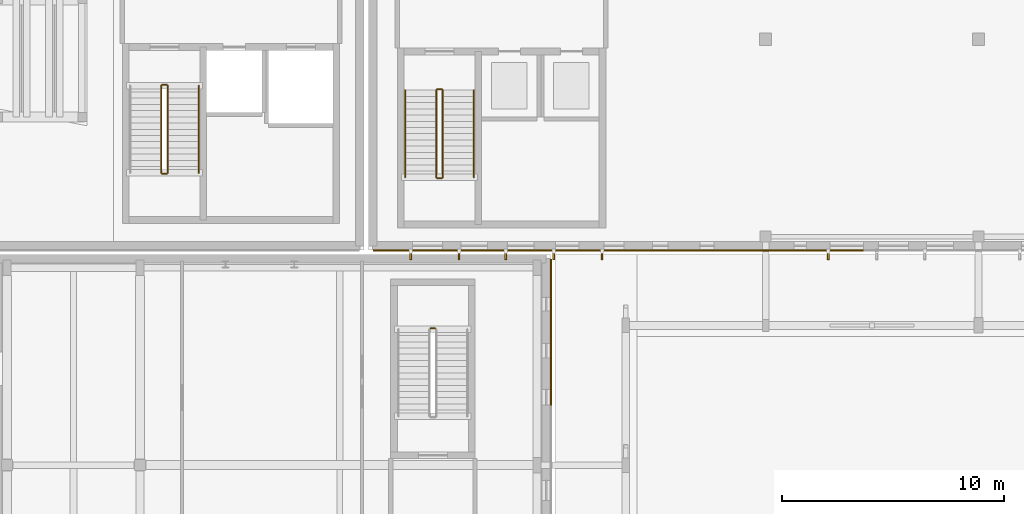
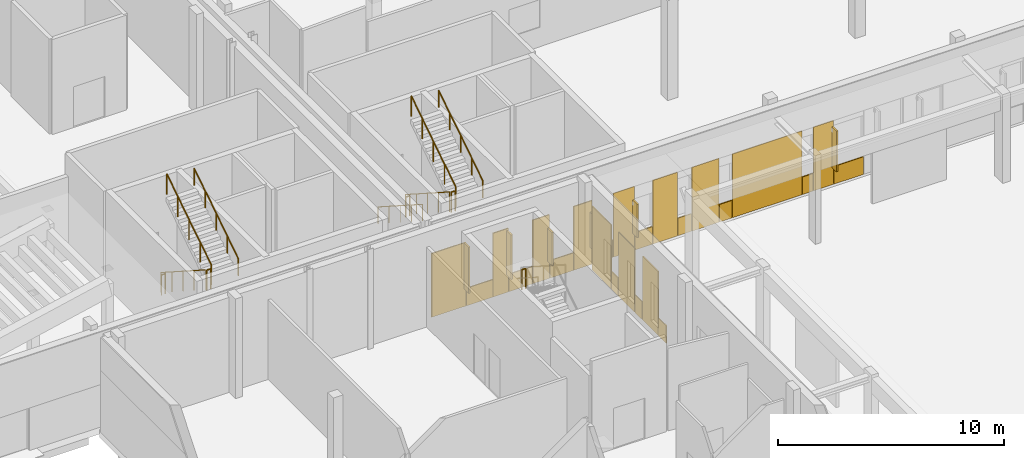
# One storey, part 60 of 84: 24 coverings, 12 railings, 6 shading devices.
"""IFC4 building model written with IfcOpenShell, lengths in metres."""

from ifc_helpers import new_model, si_unit, direction, frame, origin, origin_2d, place, context, subcontext, project, spatial, rectangle, circle, extrude, material, layer, layer_set, type_object, element, save


model = new_model("IFC4")

# Units and contexts
model_context = context("Model", 3, precision=1e-05, world=origin(), true_north=direction((0.0, 1.0)))
body_context = subcontext(model_context, "Body", "Model", "MODEL_VIEW")
ifc_project = project(units=[si_unit("LENGTHUNIT", "METRE"), si_unit("AREAUNIT", "SQUARE_METRE"), si_unit("VOLUMEUNIT", "CUBIC_METRE"), si_unit("PLANEANGLEUNIT", "RADIAN"), si_unit("MASSUNIT", "GRAM", prefix="KILO")], contexts=[model_context])

# Site, building, storey
site_placement = place(None, origin())
site = spatial("IfcSite", under=ifc_project, at=site_placement, CompositionType="ELEMENT")
building_placement = place(site_placement, origin())
building = spatial("IfcBuilding", under=site, at=building_placement, Name="Mzevani Central Library", CompositionType="ELEMENT")
storey_placement = place(building_placement, origin())
storey = spatial("IfcBuildingStorey", under=building, at=storey_placement, Name="L00", CompositionType="ELEMENT", Elevation=0.0)

# Shading devices
ifc_material_1 = material(Name="Anodized architectural bronze")
shading_device_type = type_object("IfcShadingDeviceType", Name="Anodized Bronze Vertical Sun-Breaker Fin", PredefinedType="USERDEFINED", material=ifc_material_1)
shading_device_1_placement = place(storey_placement, frame((66.830078125, 42.27490234375, 0.9501953125), z_axis=(0.0, 0.0, 1.0), x_axis=(-1.0, 0.0, 0.0)))
element("IfcShadingDevice", 1, at=shading_device_1_placement, inside=storey, type_object=shading_device_type, Name="L00 V1 Solar Fin (31)", ObjectType="SOLAR FIN", PredefinedType="USERDEFINED", context=body_context, shape_type="SweptSolid", body=[
    extrude(rectangle(XDim=0.080078125, YDim=0.449951171875, at=origin_2d()), origin(), (0.0, 0.0, 1.0), 2.199951171875),
])
shading_device_2_placement = place(storey_placement, frame((56.6298828125, 42.27490234375, 0.9501953125), z_axis=(0.0, 0.0, 1.0), x_axis=(-1.0, 0.0, 0.0)))
element("IfcShadingDevice", 2, at=shading_device_2_placement, inside=storey, type_object=shading_device_type, Name="L00 V1 Solar Fin (35)", ObjectType="SOLAR FIN", PredefinedType="USERDEFINED", context=body_context, shape_type="SweptSolid", body=[
    extrude(rectangle(XDim=0.080078125, YDim=0.449951171875, at=origin_2d()), origin(), (0.0, 0.0, 1.0), 1.800048828125),
])
shading_device_3_placement = place(storey_placement, frame((54.455078125, 42.27490234375, 0.949951171875), z_axis=(0.0, 0.0, 1.0), x_axis=(-1.0, 0.0, 0.0)))
element("IfcShadingDevice", 3, at=shading_device_3_placement, inside=storey, type_object=shading_device_type, Name="L00 V1 Solar Fin (36)", ObjectType="SOLAR FIN", PredefinedType="USERDEFINED", context=body_context, shape_type="SweptSolid", body=[
    extrude(rectangle(XDim=0.080078125, YDim=0.449951171875, at=origin_2d()), origin(), (0.0, 0.0, 1.0), 1.89990234375),
])
shading_device_4_placement = place(storey_placement, frame((52.280029296875, 42.27490234375, 0.9501953125), z_axis=(0.0, 0.0, 1.0), x_axis=(-1.0, 0.0, 0.0)))
element("IfcShadingDevice", 4, at=shading_device_4_placement, inside=storey, type_object=shading_device_type, Name="L00 V1 Solar Fin (37)", ObjectType="SOLAR FIN", PredefinedType="USERDEFINED", context=body_context, shape_type="SweptSolid", body=[
    extrude(rectangle(XDim=0.080078125, YDim=0.449951171875, at=origin_2d()), origin(), (0.0, 0.0, 1.0), 1.800048828125),
])
shading_device_5_placement = place(storey_placement, frame((50.179931640625, 42.27490234375, 0.949951171875), z_axis=(0.0, 0.0, 1.0), x_axis=(-1.0, 0.0, 0.0)))
element("IfcShadingDevice", 5, at=shading_device_5_placement, inside=storey, type_object=shading_device_type, Name="L00 V1 Solar Fin (38)", ObjectType="SOLAR FIN", PredefinedType="USERDEFINED", context=body_context, shape_type="SweptSolid", body=[
    extrude(rectangle(XDim=0.080078125, YDim=0.449951171875, at=origin_2d()), origin(), (0.0, 0.0, 1.0), 2.39990234375),
])
shading_device_6_placement = place(storey_placement, frame((48.0048828125, 42.27490234375, 0.949951171875), z_axis=(0.0, 0.0, 1.0), x_axis=(-1.0, 0.0, 0.0)))
element("IfcShadingDevice", 6, at=shading_device_6_placement, inside=storey, type_object=shading_device_type, Name="L00 V1 Solar Fin (39)", ObjectType="SOLAR FIN", PredefinedType="USERDEFINED", context=body_context, shape_type="SweptSolid", body=[
    extrude(rectangle(XDim=0.080078125, YDim=0.449951171875, at=origin_2d()), origin(), (0.0, 0.0, 1.0), 2.5),
])

# Railings
ifc_material_2 = material(Name="Brushed stainless steel rail", Category="steel")
railing_type_1 = type_object("IfcRailingType", Name="Interior Gallery and Stair Guard 1100", PredefinedType="BALUSTRADE", material=ifc_material_2)
railing_1_placement = place(storey_placement, frame((49.14990234375, 49.699951171875, 0.179931640625)))
element("IfcRailing", 7, at=railing_1_placement, inside=storey, type_object=railing_type_1, Name="L00 ST-01 stair guard 1", PredefinedType="BALUSTRADE", context=body_context, shape_type="SweptSolid", body=[
    extrude(circle(Radius=0.02392578125, at=origin_2d()), frame((0.0, 0.0, 1.076171875), z_axis=(0.0, -0.841171666519, 0.540768182723), x_axis=(1.0, 0.0, 0.0)), (0.0, 0.0, 1.0), 4.66015625),
    extrude(circle(Radius=0.02099609375, at=origin_2d()), origin(), (0.0, 0.0, 1.0), 1.052001953125),
    extrude(circle(Radius=0.02099609375, at=origin_2d()), frame((0.0, -0.97998046875, 0.6298828125)), (0.0, 0.0, 1.0), 1.052001953125),
    extrude(circle(Radius=0.02099609375, at=origin_2d()), frame((0.0, -1.9599609375, 1.260009765625)), (0.0, 0.0, 1.0), 1.052001953125),
    extrude(circle(Radius=0.02099609375, at=origin_2d()), frame((0.0, -2.93994140625, 1.89013671875)), (0.0, 0.0, 1.0), 1.052001953125),
    extrude(circle(Radius=0.02099609375, at=origin_2d()), frame((0.0, -3.919921875, 2.52001953125)), (0.0, 0.0, 1.0), 1.052001953125),
])
railing_2_placement = place(storey_placement, frame((49.199951171875, 45.72998046875, 2.699951171875)))
element("IfcRailing", 8, at=railing_2_placement, inside=storey, type_object=railing_type_1, Name="L00 ST-01 stair guard 2", PredefinedType="BALUSTRADE", context=body_context, shape_type="SweptSolid", body=[
    extrude(circle(Radius=0.02392578125, at=origin_2d()), frame((0.0, 0.0, 1.076171875), z_axis=(1.0, 0.0, 0.0), x_axis=(0.0, 1.0, 0.0)), (0.0, 0.0, 1.0), 0.199951171875),
    extrude(circle(Radius=0.02099609375, at=origin_2d()), origin(), (0.0, 0.0, 1.0), 1.052001953125),
    extrude(circle(Radius=0.02099609375, at=origin_2d()), frame((0.199951171875, 0.0, 0.0)), (0.0, 0.0, 1.0), 1.052001953125),
])
railing_3_placement = place(storey_placement, frame((49.449951171875, 45.780029296875, 2.8798828125)))
element("IfcRailing", 9, at=railing_3_placement, inside=storey, type_object=railing_type_1, Name="L00 ST-01 stair guard 3", PredefinedType="BALUSTRADE", context=body_context, shape_type="SweptSolid", body=[
    extrude(circle(Radius=0.02392578125, at=origin_2d()), frame((0.0, 0.0, 1.076171875), z_axis=(0.0, 0.841171666519, 0.540768182723), x_axis=(-1.0, 0.0, 0.0)), (0.0, 0.0, 1.0), 4.66015625),
    extrude(circle(Radius=0.02099609375, at=origin_2d()), origin(), (0.0, 0.0, 1.0), 1.052001953125),
    extrude(circle(Radius=0.02099609375, at=origin_2d()), frame((0.0, 0.97998046875, 0.6298828125)), (0.0, 0.0, 1.0), 1.052001953125),
    extrude(circle(Radius=0.02099609375, at=origin_2d()), frame((0.0, 1.9599609375, 1.260009765625)), (0.0, 0.0, 1.0), 1.052001953125),
    extrude(circle(Radius=0.02099609375, at=origin_2d()), frame((0.0, 2.93994140625, 1.89013671875)), (0.0, 0.0, 1.0), 1.052001953125),
    extrude(circle(Radius=0.02099609375, at=origin_2d()), frame((0.0, 3.919921875, 2.52001953125)), (0.0, 0.0, 1.0), 1.052001953125),
])
railing_4_placement = place(storey_placement, frame((49.199951171875, 49.75, 0.0)))
element("IfcRailing", 10, at=railing_4_placement, inside=storey, type_object=railing_type_1, Name="L00 ST-01 stair guard 4", PredefinedType="BALUSTRADE", context=body_context, shape_type="SweptSolid", body=[
    extrude(circle(Radius=0.02392578125, at=origin_2d()), frame((0.0, 0.0, 1.076171875), z_axis=(1.0, 0.0, 0.0), x_axis=(0.0, 1.0, 0.0)), (0.0, 0.0, 1.0), 0.199951171875),
    extrude(circle(Radius=0.02099609375, at=origin_2d()), origin(), (0.0, 0.0, 1.0), 1.052001953125),
    extrude(circle(Radius=0.02099609375, at=origin_2d()), frame((0.199951171875, 0.0, 0.0)), (0.0, 0.0, 1.0), 1.052001953125),
])
railing_5_placement = place(storey_placement, frame((49.10009765625, 38.969970703125, 2.699951171875)))
element("IfcRailing", 11, at=railing_5_placement, inside=storey, type_object=railing_type_1, Name="L00 ST-08 stair guard 2", PredefinedType="BALUSTRADE", context=body_context, shape_type="SweptSolid", body=[
    extrude(circle(Radius=0.02392578125, at=origin_2d()), frame((0.0, 0.0, 1.076171875), z_axis=(-1.0, 0.0, 0.0), x_axis=(0.0, -1.0, 0.0)), (0.0, 0.0, 1.0), 0.2001953125),
    extrude(circle(Radius=0.02099609375, at=origin_2d()), origin(), (0.0, 0.0, 1.0), 1.052001953125),
    extrude(circle(Radius=0.02099609375, at=origin_2d()), frame((-0.2001953125, 0.0, 0.0)), (0.0, 0.0, 1.0), 1.052001953125),
])
railing_6_placement = place(storey_placement, frame((36.75, 49.89990234375, 0.179931640625)))
element("IfcRailing", 12, at=railing_6_placement, inside=storey, type_object=railing_type_1, Name="L00 ST-09 stair guard 1", PredefinedType="BALUSTRADE", context=body_context, shape_type="SweptSolid", body=[
    extrude(circle(Radius=0.02392578125, at=origin_2d()), frame((0.0, 0.0, 1.076171875), z_axis=(0.0, -0.841171666519, 0.540768182723), x_axis=(1.0, 0.0, 0.0)), (0.0, 0.0, 1.0), 4.66015625),
    extrude(circle(Radius=0.02099609375, at=origin_2d()), origin(), (0.0, 0.0, 1.0), 1.052001953125),
    extrude(circle(Radius=0.02099609375, at=origin_2d()), frame((0.0, -0.97998046875, 0.6298828125)), (0.0, 0.0, 1.0), 1.052001953125),
    extrude(circle(Radius=0.02099609375, at=origin_2d()), frame((0.0, -1.9599609375, 1.260009765625)), (0.0, 0.0, 1.0), 1.052001953125),
    extrude(circle(Radius=0.02099609375, at=origin_2d()), frame((0.0, -2.93994140625, 1.89013671875)), (0.0, 0.0, 1.0), 1.052001953125),
    extrude(circle(Radius=0.02099609375, at=origin_2d()), frame((0.0, -3.919921875, 2.52001953125)), (0.0, 0.0, 1.0), 1.052001953125),
])
railing_7_placement = place(storey_placement, frame((36.800048828125, 45.929931640625, 2.699951171875)))
element("IfcRailing", 13, at=railing_7_placement, inside=storey, type_object=railing_type_1, Name="L00 ST-09 stair guard 2", PredefinedType="BALUSTRADE", context=body_context, shape_type="SweptSolid", body=[
    extrude(circle(Radius=0.02392578125, at=origin_2d()), frame((0.0, 0.0, 1.076171875), z_axis=(1.0, 0.0, 0.0), x_axis=(0.0, 1.0, 0.0)), (0.0, 0.0, 1.0), 0.199951171875),
    extrude(circle(Radius=0.02099609375, at=origin_2d()), origin(), (0.0, 0.0, 1.0), 1.052001953125),
    extrude(circle(Radius=0.02099609375, at=origin_2d()), frame((0.199951171875, 0.0, 0.0)), (0.0, 0.0, 1.0), 1.052001953125),
])
railing_8_placement = place(storey_placement, frame((37.050048828125, 45.97998046875, 2.8798828125)))
element("IfcRailing", 14, at=railing_8_placement, inside=storey, type_object=railing_type_1, Name="L00 ST-09 stair guard 3", PredefinedType="BALUSTRADE", context=body_context, shape_type="SweptSolid", body=[
    extrude(circle(Radius=0.02392578125, at=origin_2d()), frame((0.0, 0.0, 1.076171875), z_axis=(0.0, 0.841171666519, 0.540768182723), x_axis=(-1.0, 0.0, 0.0)), (0.0, 0.0, 1.0), 4.66015625),
    extrude(circle(Radius=0.02099609375, at=origin_2d()), origin(), (0.0, 0.0, 1.0), 1.052001953125),
    extrude(circle(Radius=0.02099609375, at=origin_2d()), frame((0.0, 0.97998046875, 0.6298828125)), (0.0, 0.0, 1.0), 1.052001953125),
    extrude(circle(Radius=0.02099609375, at=origin_2d()), frame((0.0, 1.9599609375, 1.260009765625)), (0.0, 0.0, 1.0), 1.052001953125),
    extrude(circle(Radius=0.02099609375, at=origin_2d()), frame((0.0, 2.93994140625, 1.89013671875)), (0.0, 0.0, 1.0), 1.052001953125),
    extrude(circle(Radius=0.02099609375, at=origin_2d()), frame((0.0, 3.919921875, 2.52001953125)), (0.0, 0.0, 1.0), 1.052001953125),
])
railing_9_placement = place(storey_placement, frame((36.800048828125, 49.949951171875, 0.0)))
element("IfcRailing", 15, at=railing_9_placement, inside=storey, type_object=railing_type_1, Name="L00 ST-09 stair guard 4", PredefinedType="BALUSTRADE", context=body_context, shape_type="SweptSolid", body=[
    extrude(circle(Radius=0.02392578125, at=origin_2d()), frame((0.0, 0.0, 1.076171875), z_axis=(1.0, 0.0, 0.0), x_axis=(0.0, 1.0, 0.0)), (0.0, 0.0, 1.0), 0.199951171875),
    extrude(circle(Radius=0.02099609375, at=origin_2d()), origin(), (0.0, 0.0, 1.0), 1.052001953125),
    extrude(circle(Radius=0.02099609375, at=origin_2d()), frame((0.199951171875, 0.0, 0.0)), (0.0, 0.0, 1.0), 1.052001953125),
])

# Coverings
ifc_material_3 = material(Name="Limestone ashlar cladding", Category="masonry")
ifc_layer = layer(ifc_material_3, 0.050048828125, Name="Limestone Ashlar Spandrel Cladding")
ifc_layer_set = layer_set([ifc_layer], Name="Limestone ashlar cladding")
covering_type = type_object("IfcCoveringType", Name="Limestone Ashlar Spandrel Cladding", PredefinedType="CLADDING", material=ifc_layer_set)
covering_1_placement = place(storey_placement, frame((67.659912109375, 42.47607421875, 0.0), z_axis=(0.0, 0.0, 1.0), x_axis=(-1.0, 0.0, 0.0)))
element("IfcCovering", 16, at=covering_1_placement, inside=storey, type_object=covering_type, Name="L00 Warm-White Sill Cladding 63 (EW4-V1-L00-0002)", PredefinedType="CLADDING", context=body_context, shape_type="SweptSolid", body=[
    extrude(rectangle(XDim=1.5, YDim=0.050048828125, at=origin_2d()), origin(), (0.0, 0.0, 1.0), 0.949951171875),
])
covering_2_placement = place(storey_placement, frame((66.37255859375, 42.47607421875, 0.0), z_axis=(0.0, 0.0, 1.0), x_axis=(-1.0, 0.0, 0.0)))
element("IfcCovering", 17, at=covering_2_placement, inside=storey, type_object=covering_type, Name="L00 Warm-White Facade Pier 64 (EW4-V1-L00-0002)", PredefinedType="CLADDING", context=body_context, shape_type="SweptSolid", body=[
    extrude(rectangle(XDim=1.034912109375, YDim=0.050048828125, at=origin_2d()), origin(), (0.0, 0.0, 1.0), 3.449951171875),
])
covering_3_placement = place(storey_placement, frame((65.56005859375, 42.47607421875, 0.0), z_axis=(0.0, 0.0, 1.0), x_axis=(-1.0, 0.0, 0.0)))
element("IfcCovering", 18, at=covering_3_placement, inside=storey, type_object=covering_type, Name="L00 Warm-White Sill Cladding 65 (EW4-V1-L00-0002)", PredefinedType="CLADDING", context=body_context, shape_type="SweptSolid", body=[
    extrude(rectangle(XDim=0.550048828125, YDim=0.050048828125, at=origin_2d()), origin(), (0.0, 0.0, 1.0), 0.949951171875),
])
covering_4_placement = place(storey_placement, frame((63.485107421875, 42.47607421875, 0.0), z_axis=(0.0, 0.0, 1.0), x_axis=(-1.0, 0.0, 0.0)))
element("IfcCovering", 19, at=covering_4_placement, inside=storey, type_object=covering_type, Name="L00 Warm-White Facade Pier 66 (EW4-V1-L00-0002)", PredefinedType="CLADDING", context=body_context, shape_type="SweptSolid", body=[
    extrude(rectangle(XDim=3.56005859375, YDim=0.050048828125, at=origin_2d()), origin(), (0.0, 0.0, 1.0), 3.449951171875),
])
covering_5_placement = place(storey_placement, frame((61.360107421875, 42.47607421875, 0.0), z_axis=(0.0, 0.0, 1.0), x_axis=(-1.0, 0.0, 0.0)))
element("IfcCovering", 20, at=covering_5_placement, inside=storey, type_object=covering_type, Name="L00 Warm-White Sill Cladding 67 (EW4-V1-L00-0002)", PredefinedType="CLADDING", context=body_context, shape_type="SweptSolid", body=[
    extrude(rectangle(XDim=0.64990234375, YDim=0.050048828125, at=origin_2d()), origin(), (0.0, 0.0, 1.0), 0.949951171875),
])
covering_6_placement = place(storey_placement, frame((60.322509765625, 42.47607421875, 0.0), z_axis=(0.0, 0.0, 1.0), x_axis=(-1.0, 0.0, 0.0)))
element("IfcCovering", 21, at=covering_6_placement, inside=storey, type_object=covering_type, Name="L00 Warm-White Facade Pier 68 (EW4-V1-L00-0002)", PredefinedType="CLADDING", context=body_context, shape_type="SweptSolid", body=[
    extrude(rectangle(XDim=1.385009765625, YDim=0.050048828125, at=origin_2d()), origin(), (0.0, 0.0, 1.0), 3.449951171875),
])
covering_7_placement = place(storey_placement, frame((59.260009765625, 42.47607421875, 0.0), z_axis=(0.0, 0.0, 1.0), x_axis=(-1.0, 0.0, 0.0)))
element("IfcCovering", 22, at=covering_7_placement, inside=storey, type_object=covering_type, Name="L00 Warm-White Sill Cladding 69 (EW4-V1-L00-0002)", PredefinedType="CLADDING", context=body_context, shape_type="SweptSolid", body=[
    extrude(rectangle(XDim=0.699951171875, YDim=0.050048828125, at=origin_2d()), origin(), (0.0, 0.0, 1.0), 0.949951171875),
])
covering_8_placement = place(storey_placement, frame((58.260009765625, 42.47607421875, 0.0), z_axis=(0.0, 0.0, 1.0), x_axis=(-1.0, 0.0, 0.0)))
element("IfcCovering", 23, at=covering_8_placement, inside=storey, type_object=covering_type, Name="L00 Warm-White Facade Pier 70 (EW4-V1-L00-0002)", PredefinedType="CLADDING", context=body_context, shape_type="SweptSolid", body=[
    extrude(rectangle(XDim=1.260009765625, YDim=0.050048828125, at=origin_2d()), origin(), (0.0, 0.0, 1.0), 3.449951171875),
])
covering_9_placement = place(storey_placement, frame((57.159912109375, 42.47607421875, 0.0), z_axis=(0.0, 0.0, 1.0), x_axis=(-1.0, 0.0, 0.0)))
element("IfcCovering", 24, at=covering_9_placement, inside=storey, type_object=covering_type, Name="L00 Warm-White Sill Cladding 71 (EW4-V1-L00-0002)", PredefinedType="CLADDING", context=body_context, shape_type="SweptSolid", body=[
    extrude(rectangle(XDim=0.89990234375, YDim=0.050048828125, at=origin_2d()), origin(), (0.0, 0.0, 1.0), 0.949951171875),
])
covering_10_placement = place(storey_placement, frame((56.1474609375, 42.47607421875, 0.0), z_axis=(0.0, 0.0, 1.0), x_axis=(-1.0, 0.0, 0.0)))
element("IfcCovering", 25, at=covering_10_placement, inside=storey, type_object=covering_type, Name="L00 Warm-White Facade Pier 72 (EW4-V1-L00-0002)", PredefinedType="CLADDING", context=body_context, shape_type="SweptSolid", body=[
    extrude(rectangle(XDim=1.0849609375, YDim=0.050048828125, at=origin_2d()), origin(), (0.0, 0.0, 1.0), 3.449951171875),
])
covering_11_placement = place(storey_placement, frame((55.06005859375, 42.47607421875, 0.0), z_axis=(0.0, 0.0, 1.0), x_axis=(-1.0, 0.0, 0.0)))
element("IfcCovering", 26, at=covering_11_placement, inside=storey, type_object=covering_type, Name="L00 Warm-White Sill Cladding 73 (EW4-V1-L00-0002)", PredefinedType="CLADDING", context=body_context, shape_type="SweptSolid", body=[
    extrude(rectangle(XDim=1.050048828125, YDim=0.050048828125, at=origin_2d()), origin(), (0.0, 0.0, 1.0), 0.949951171875),
])
covering_12_placement = place(storey_placement, frame((54.047607421875, 42.47607421875, 0.0), z_axis=(0.0, 0.0, 1.0), x_axis=(-1.0, 0.0, 0.0)))
element("IfcCovering", 27, at=covering_12_placement, inside=storey, type_object=covering_type, Name="L00 Warm-White Facade Pier 74 (EW4-V1-L00-0002)", PredefinedType="CLADDING", context=body_context, shape_type="SweptSolid", body=[
    extrude(rectangle(XDim=0.93505859375, YDim=0.050048828125, at=origin_2d()), origin(), (0.0, 0.0, 1.0), 3.449951171875),
])
covering_13_placement = place(storey_placement, frame((52.9599609375, 42.47607421875, 0.0), z_axis=(0.0, 0.0, 1.0), x_axis=(-1.0, 0.0, 0.0)))
element("IfcCovering", 28, at=covering_13_placement, inside=storey, type_object=covering_type, Name="L00 Warm-White Sill Cladding 75 (EW4-V1-L00-0002)", PredefinedType="CLADDING", context=body_context, shape_type="SweptSolid", body=[
    extrude(rectangle(XDim=1.199951171875, YDim=0.050048828125, at=origin_2d()), origin(), (0.0, 0.0, 1.0), 0.949951171875),
])
covering_14_placement = place(storey_placement, frame((51.909912109375, 42.47607421875, 0.0), z_axis=(0.0, 0.0, 1.0), x_axis=(-1.0, 0.0, 0.0)))
element("IfcCovering", 29, at=covering_14_placement, inside=storey, type_object=covering_type, Name="L00 Warm-White Facade Pier 76 (EW4-V1-L00-0002)", PredefinedType="CLADDING", context=body_context, shape_type="SweptSolid", body=[
    extrude(rectangle(XDim=0.860107421875, YDim=0.050048828125, at=origin_2d()), origin(), (0.0, 0.0, 1.0), 3.449951171875),
])
covering_15_placement = place(storey_placement, frame((50.860107421875, 42.47607421875, 0.0), z_axis=(0.0, 0.0, 1.0), x_axis=(-1.0, 0.0, 0.0)))
element("IfcCovering", 30, at=covering_15_placement, inside=storey, type_object=covering_type, Name="L00 Warm-White Sill Cladding 77 (EW4-V1-L00-0002)", PredefinedType="CLADDING", context=body_context, shape_type="SweptSolid", body=[
    extrude(rectangle(XDim=1.199951171875, YDim=0.050048828125, at=origin_2d()), origin(), (0.0, 0.0, 1.0), 0.949951171875),
])
covering_16_placement = place(storey_placement, frame((49.847412109375, 42.47607421875, 0.0), z_axis=(0.0, 0.0, 1.0), x_axis=(-1.0, 0.0, 0.0)))
element("IfcCovering", 31, at=covering_16_placement, inside=storey, type_object=covering_type, Name="L00 Warm-White Facade Pier 78 (EW4-V1-L00-0002)", PredefinedType="CLADDING", context=body_context, shape_type="SweptSolid", body=[
    extrude(rectangle(XDim=0.784912109375, YDim=0.050048828125, at=origin_2d()), origin(), (0.0, 0.0, 1.0), 3.449951171875),
])
covering_17_placement = place(storey_placement, frame((48.760009765625, 42.47607421875, 0.0), z_axis=(0.0, 0.0, 1.0), x_axis=(-1.0, 0.0, 0.0)))
element("IfcCovering", 32, at=covering_17_placement, inside=storey, type_object=covering_type, Name="L00 Warm-White Sill Cladding 79 (EW4-V1-L00-0002)", PredefinedType="CLADDING", context=body_context, shape_type="SweptSolid", body=[
    extrude(rectangle(XDim=1.35009765625, YDim=0.050048828125, at=origin_2d()), origin(), (0.0, 0.0, 1.0), 0.949951171875),
])
covering_18_placement = place(storey_placement, frame((47.1875, 42.47607421875, 0.0), z_axis=(0.0, 0.0, 1.0), x_axis=(-1.0, 0.0, 0.0)))
element("IfcCovering", 33, at=covering_18_placement, inside=storey, type_object=covering_type, Name="L00 Warm-White Facade Pier 80 (EW4-V1-L00-0002)", PredefinedType="CLADDING", context=body_context, shape_type="SweptSolid", body=[
    extrude(rectangle(XDim=1.7548828125, YDim=0.050048828125, at=origin_2d()), origin(), (0.0, 0.0, 1.0), 3.449951171875),
])
covering_19_placement = place(storey_placement, frame((54.323974609375, 41.235107421875, 0.0), z_axis=(0.0, 0.0, 1.0), x_axis=(0.0, -1.0, 0.0)))
element("IfcCovering", 34, at=covering_19_placement, inside=storey, type_object=covering_type, Name="L00 Warm-White Facade Pier 1 (EW4-V4-L00-0075)", PredefinedType="CLADDING", context=body_context, shape_type="SweptSolid", body=[
    extrude(rectangle(XDim=1.7099609375, YDim=0.050048828125, at=origin_2d()), origin(), (0.0, 0.0, 1.0), 3.449951171875),
])
covering_20_placement = place(storey_placement, frame((54.323974609375, 40.06005859375, 0.0), z_axis=(0.0, 0.0, 1.0), x_axis=(0.0, -1.0, 0.0)))
element("IfcCovering", 35, at=covering_20_placement, inside=storey, type_object=covering_type, Name="L00 Warm-White Sill Cladding 2 (EW4-V4-L00-0075)", PredefinedType="CLADDING", context=body_context, shape_type="SweptSolid", body=[
    extrude(rectangle(XDim=0.60009765625, YDim=0.050048828125, at=origin_2d()), origin(), (0.0, 0.0, 1.0), 0.949951171875),
])
covering_21_placement = place(storey_placement, frame((54.323974609375, 39.0224609375, 0.0), z_axis=(0.0, 0.0, 1.0), x_axis=(0.0, -1.0, 0.0)))
element("IfcCovering", 36, at=covering_21_placement, inside=storey, type_object=covering_type, Name="L00 Warm-White Facade Pier 3 (EW4-V4-L00-0075)", PredefinedType="CLADDING", context=body_context, shape_type="SweptSolid", body=[
    extrude(rectangle(XDim=1.43505859375, YDim=0.050048828125, at=origin_2d()), origin(), (0.0, 0.0, 1.0), 3.449951171875),
])
covering_22_placement = place(storey_placement, frame((54.323974609375, 37.9599609375, 0.0), z_axis=(0.0, 0.0, 1.0), x_axis=(0.0, -1.0, 0.0)))
element("IfcCovering", 37, at=covering_22_placement, inside=storey, type_object=covering_type, Name="L00 Warm-White Sill Cladding 4 (EW4-V4-L00-0075)", PredefinedType="CLADDING", context=body_context, shape_type="SweptSolid", body=[
    extrude(rectangle(XDim=0.64990234375, YDim=0.050048828125, at=origin_2d()), origin(), (0.0, 0.0, 1.0), 0.949951171875),
])
covering_23_placement = place(storey_placement, frame((54.323974609375, 36.922607421875, 0.0), z_axis=(0.0, 0.0, 1.0), x_axis=(0.0, -1.0, 0.0)))
element("IfcCovering", 38, at=covering_23_placement, inside=storey, type_object=covering_type, Name="L00 Warm-White Facade Pier 5 (EW4-V4-L00-0075)", PredefinedType="CLADDING", context=body_context, shape_type="SweptSolid", body=[
    extrude(rectangle(XDim=1.385009765625, YDim=0.050048828125, at=origin_2d()), origin(), (0.0, 0.0, 1.0), 3.449951171875),
])
covering_24_placement = place(storey_placement, frame((54.323974609375, 35.860107421875, 0.0), z_axis=(0.0, 0.0, 1.0), x_axis=(0.0, -1.0, 0.0)))
element("IfcCovering", 39, at=covering_24_placement, inside=storey, type_object=covering_type, Name="L00 Warm-White Sill Cladding 6 (EW4-V4-L00-0075)", PredefinedType="CLADDING", context=body_context, shape_type="SweptSolid", body=[
    extrude(rectangle(XDim=0.699951171875, YDim=0.050048828125, at=origin_2d()), origin(), (0.0, 0.0, 1.0), 0.949951171875),
])

# Railings
railing_type_2 = type_object("IfcRailingType", Name="Stair Wall Handrail 920", PredefinedType="HANDRAIL", material=ifc_material_2)
railing_10_placement = place(storey_placement, frame((47.75, 49.699951171875, 0.179931640625)))
element("IfcRailing", 40, at=railing_10_placement, inside=storey, type_object=railing_type_2, Name="L00 ST-01 stair handrail 1", PredefinedType="HANDRAIL", context=body_context, shape_type="SweptSolid", body=[
    extrude(circle(Radius=0.02392578125, at=origin_2d()), frame((0.0, 0.0, 0.89599609375), z_axis=(0.0, -0.841171666519, 0.540768182723), x_axis=(1.0, 0.0, 0.0)), (0.0, 0.0, 1.0), 4.66015625),
    extrude(circle(Radius=0.02099609375, at=origin_2d()), origin(), (0.0, 0.0, 1.0), 0.871826171875),
    extrude(circle(Radius=0.02099609375, at=origin_2d()), frame((0.0, -0.97998046875, 0.6298828125)), (0.0, 0.0, 1.0), 0.871826171875),
    extrude(circle(Radius=0.02099609375, at=origin_2d()), frame((0.0, -1.9599609375, 1.260009765625)), (0.0, 0.0, 1.0), 0.871826171875),
    extrude(circle(Radius=0.02099609375, at=origin_2d()), frame((0.0, -2.93994140625, 1.89013671875)), (0.0, 0.0, 1.0), 0.871826171875),
    extrude(circle(Radius=0.02099609375, at=origin_2d()), frame((0.0, -3.919921875, 2.52001953125)), (0.0, 0.0, 1.0), 0.871826171875),
])
for number, where, name in (
    (41, (50.85009765625, 45.780029296875, 2.8798828125), "L00 ST-01 stair handrail 2"),
    (42, (38.449951171875, 45.97998046875, 2.8798828125), "L00 ST-09 stair handrail 2"),
):
    element("IfcRailing", number, at=place(storey_placement, frame(where)), inside=storey, type_object=railing_type_2, Name=name, PredefinedType="HANDRAIL", context=body_context, shape_type="SweptSolid", body=[
        extrude(circle(Radius=0.02392578125, at=origin_2d()), frame((0.0, 0.0, 0.89599609375), z_axis=(0.0, 0.841171666519, 0.540768182723), x_axis=(-1.0, 0.0, 0.0)), (0.0, 0.0, 1.0), 4.66015625),
        extrude(circle(Radius=0.02099609375, at=origin_2d()), origin(), (0.0, 0.0, 1.0), 0.871826171875),
        extrude(circle(Radius=0.02099609375, at=origin_2d()), frame((0.0, 0.97998046875, 0.6298828125)), (0.0, 0.0, 1.0), 0.871826171875),
        extrude(circle(Radius=0.02099609375, at=origin_2d()), frame((0.0, 1.9599609375, 1.260009765625)), (0.0, 0.0, 1.0), 0.871826171875),
        extrude(circle(Radius=0.02099609375, at=origin_2d()), frame((0.0, 2.93994140625, 1.89013671875)), (0.0, 0.0, 1.0), 0.871826171875),
        extrude(circle(Radius=0.02099609375, at=origin_2d()), frame((0.0, 3.919921875, 2.52001953125)), (0.0, 0.0, 1.0), 0.871826171875),
    ])

save(model, "model.ifc")
